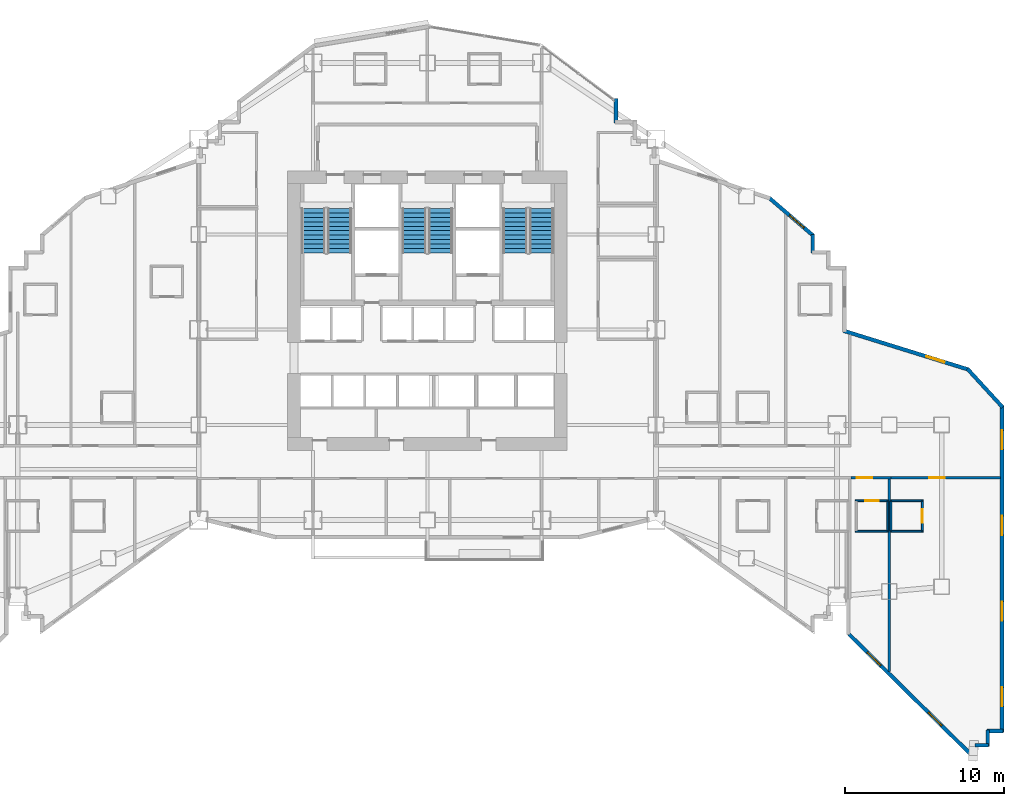
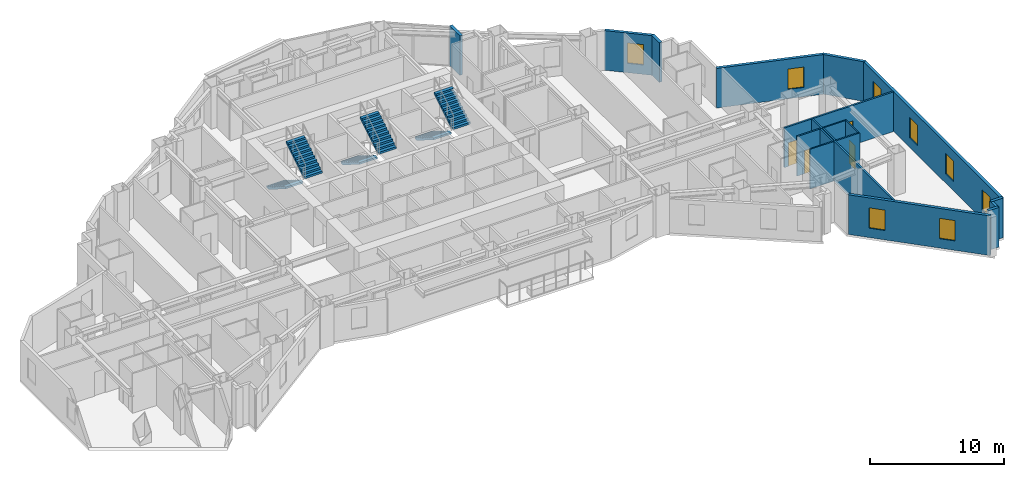
# One storey, part 11 of 16: 20 walls, 8 windows, 6 stair flights, 4 doors, 12 openings, 3 elements without a shape of their own.
"""IFC4 building model written with IfcOpenShell, lengths in metres."""

from ifc_helpers import new_model, si_unit, direction, frame, frame_2d, origin, place, context, subcontext, project, spatial, polyline, rectangle, outline, extrude, material, layer, layer_set, type_object, element, fill, aggregate, save


model = new_model("IFC4")

# Units and contexts
model_context = context("Model", 3, precision=1e-05, world=origin(), true_north=direction((0.0, 1.0)))
body_context = subcontext(model_context, "Body", "Model", "MODEL_VIEW")
ifc_project = project(units=[si_unit("LENGTHUNIT", "METRE"), si_unit("AREAUNIT", "SQUARE_METRE"), si_unit("VOLUMEUNIT", "CUBIC_METRE"), si_unit("PLANEANGLEUNIT", "RADIAN"), si_unit("MASSUNIT", "GRAM", prefix="KILO")], contexts=[model_context])

# Site, building, storey
site_placement = place(None, origin())
site = spatial("IfcSite", under=ifc_project, at=site_placement, CompositionType="ELEMENT")
building_placement = place(site_placement, origin())
building = spatial("IfcBuilding", under=site, at=building_placement, Name="Haolan Belvedere Tower", CompositionType="ELEMENT")
storey_placement = place(building_placement, frame((0.0, 0.0, 47.60009765625)))
storey = spatial("IfcBuildingStorey", under=building, at=storey_placement, Name="L11", CompositionType="ELEMENT", Elevation=47.60009765625)

# Wall, openings, windows
ifc_material_1 = material(Name="Precast concrete C40/50", Category="concrete")
ifc_layer_1 = layer(ifc_material_1, 0.239990234375, Name="Precast concrete C40/50")
ifc_layer_set_1 = layer_set([ifc_layer_1], Name="Precast concrete C40/50")
wall_type_1 = type_object("IfcWallType", Name="WL-EXT-240", PredefinedType="SOLIDWALL", material=ifc_layer_set_1)
wall_1_placement = place(storey_placement, frame((64.96630859375, 14.404541015625, 0.0), z_axis=(0.0, 0.0, 1.0), x_axis=(0.71217720779, -0.701999732695, 0.0)))
wall_1 = element("IfcWall", 1, at=wall_1_placement, inside=storey, type_object=wall_type_1, Name="L11 pale-metal exterior spandrel wall 21.1", PredefinedType="SOLIDWALL", context=body_context, shape_type="SweptSolid", body=[
    extrude(rectangle(XDim=10.914794921875, YDim=0.239990234375, at=frame_2d((5.45751953125, 0.0))), origin(), (0.0, 0.0, 1.0), 3.599853515625),
])
opening_1_placement = place(wall_1_placement, frame((1.60009765625, 0.0, 0.85009765625)))
opening_1 = element("IfcOpeningElement", 2, at=opening_1_placement, cuts=wall_1, Name="Opening W-01", PredefinedType="OPENING", context=body_context, shape_type="SweptSolid", body=[
    extrude(rectangle(XDim=1.199951171875, YDim=1.85009765625, at=frame_2d((0.60009765625, 0.925048828125))), frame((0.0, 0.1298828125, 0.0), z_axis=(0.0, -1.0, 0.0), x_axis=(1.0, 0.0, 0.0)), (0.0, 0.0, 1.0), 0.260009765625),
])
opening_2_placement = place(wall_1_placement, frame((7.0, 0.0, 0.85009765625)))
opening_2 = element("IfcOpeningElement", 3, at=opening_2_placement, cuts=wall_1, Name="Opening W-01", PredefinedType="OPENING", context=body_context, shape_type="SweptSolid", body=[
    extrude(rectangle(XDim=1.199951171875, YDim=1.85009765625, at=frame_2d((0.60009765625, 0.925048828125))), frame((0.0, 0.1298828125, 0.0), z_axis=(0.0, -1.0, 0.0), x_axis=(1.0, 0.0, 0.0)), (0.0, 0.0, 1.0), 0.260009765625),
])
ifc_material_2 = material(Name="Anodised aluminium 6063-T6 and Low-E glass", Category="aluminium")
window_type = type_object("IfcWindowType", Name="WN-DECO-Z1", PartitioningType="SINGLE_PANEL", PredefinedType="WINDOW", material=ifc_material_2)
window_1_placement = place(opening_1_placement, origin())
window_1 = element("IfcWindow", 4, at=window_1_placement, inside=storey, type_object=window_type, Name="L11 Art Deco chevron window 1", OverallHeight=1.85009765625, OverallWidth=1.199951171875, PartitioningType="SINGLE_PANEL", PredefinedType="WINDOW", context=body_context, shape_type="SweptSolid", body=[
    extrude(rectangle(XDim=1.199951171875, YDim=1.85009765625, at=frame_2d((0.60009765625, 0.925048828125))), frame((0.0, 0.030029296875, 0.0), z_axis=(0.0, -1.0, 0.0), x_axis=(1.0, 0.0, 0.0)), (0.0, 0.0, 1.0), 0.06005859375),
])
fill(opening_1, window_1)
window_2_placement = place(opening_2_placement, origin())
window_2 = element("IfcWindow", 5, at=window_2_placement, inside=storey, type_object=window_type, Name="L11 Art Deco chevron window 2", OverallHeight=1.85009765625, OverallWidth=1.199951171875, PartitioningType="SINGLE_PANEL", PredefinedType="WINDOW", context=body_context, shape_type="SweptSolid", body=[
    extrude(rectangle(XDim=1.199951171875, YDim=1.85009765625, at=frame_2d((0.60009765625, 0.925048828125))), frame((0.0, 0.030029296875, 0.0), z_axis=(0.0, -1.0, 0.0), x_axis=(1.0, 0.0, 0.0)), (0.0, 0.0, 1.0), 0.06005859375),
])
fill(opening_2, window_2)

# Walls
wall_2_placement = place(storey_placement, frame((72.885009765625, 7.416015625, 0.0), z_axis=(0.0, 0.0, 1.0), x_axis=(1.0, 0.0, 0.0)))
element("IfcWall", 6, at=wall_2_placement, inside=storey, type_object=wall_type_1, Name="L11 pale-metal exterior spandrel wall 23.1", PredefinedType="SOLIDWALL", context=body_context, shape_type="SweptSolid", body=[
    extrude(rectangle(XDim=0.869873046875, YDim=0.239990234375, at=frame_2d((0.43505859375, 0.0))), origin(), (0.0, 0.0, 1.0), 3.599853515625),
])
for number, where, z_axis, x_axis, name in (
    (7, (73.699951171875, 7.361083984375, 0.0), (0.0, 0.0, 1.0), (0.0, 1.0, 0.0), "L11 pale-metal exterior spandrel wall 24.1"),
    (8, (73.64501953125, 8.31591796875, 0.0), (0.0, 0.0, 1.0), (1.0, 0.0, 0.0), "L11 pale-metal exterior spandrel wall 25.1"),
):
    element("IfcWall", number, at=place(storey_placement, frame(where, z_axis=z_axis, x_axis=x_axis)), inside=storey, type_object=wall_type_1, Name=name, PredefinedType="SOLIDWALL", context=body_context, shape_type="SweptSolid", body=[
        extrude(rectangle(XDim=1.010009765625, YDim=0.239990234375, at=frame_2d((0.5048828125, 0.0))), origin(), (0.0, 0.0, 1.0), 3.599853515625),
    ])

# Wall, openings, windows
wall_3_placement = place(storey_placement, frame((74.60009765625, 8.260986328125, 0.0), z_axis=(0.0, 0.0, 1.0), x_axis=(0.0, 1.0, 0.0)))
wall_3 = element("IfcWall", 9, at=wall_3_placement, inside=storey, type_object=wall_type_1, Name="L11 pale-metal exterior spandrel wall 26.1", PredefinedType="SOLIDWALL", context=body_context, shape_type="SweptSolid", body=[
    extrude(rectangle(XDim=20.54736328125, YDim=0.239990234375, at=frame_2d((10.273681640625, 0.0))), origin(), (0.0, 0.0, 1.0), 3.599853515625),
])
opening_3_placement = place(wall_3_placement, frame((1.60009765625, 0.0, 0.85009765625)))
opening_3 = element("IfcOpeningElement", 10, at=opening_3_placement, cuts=wall_3, Name="Opening W-01", PredefinedType="OPENING", context=body_context, shape_type="SweptSolid", body=[
    extrude(rectangle(XDim=1.199951171875, YDim=1.85009765625, at=frame_2d((0.60009765625, 0.925048828125))), frame((0.0, 0.1298828125, 0.0), z_axis=(0.0, -1.0, 0.0), x_axis=(1.0, 0.0, 0.0)), (0.0, 0.0, 1.0), 0.260009765625),
])
opening_4_placement = place(wall_3_placement, frame((7.0, 0.0, 0.85009765625)))
opening_4 = element("IfcOpeningElement", 11, at=opening_4_placement, cuts=wall_3, Name="Opening W-01", PredefinedType="OPENING", context=body_context, shape_type="SweptSolid", body=[
    extrude(rectangle(XDim=1.199951171875, YDim=1.85009765625, at=frame_2d((0.60009765625, 0.925048828125))), frame((0.0, 0.1298828125, 0.0), z_axis=(0.0, -1.0, 0.0), x_axis=(1.0, 0.0, 0.0)), (0.0, 0.0, 1.0), 0.260009765625),
])
opening_5_placement = place(wall_3_placement, frame((12.39990234375, 0.0, 0.85009765625)))
opening_5 = element("IfcOpeningElement", 12, at=opening_5_placement, cuts=wall_3, Name="Opening W-01", PredefinedType="OPENING", context=body_context, shape_type="SweptSolid", body=[
    extrude(rectangle(XDim=1.199951171875, YDim=1.85009765625, at=frame_2d((0.60009765625, 0.925048828125))), frame((0.0, 0.1298828125, 0.0), z_axis=(0.0, -1.0, 0.0), x_axis=(1.0, 0.0, 0.0)), (0.0, 0.0, 1.0), 0.260009765625),
])
opening_6_placement = place(wall_3_placement, frame((17.800048828125, 0.0, 0.85009765625)))
opening_6 = element("IfcOpeningElement", 13, at=opening_6_placement, cuts=wall_3, Name="Opening W-01", PredefinedType="OPENING", context=body_context, shape_type="SweptSolid", body=[
    extrude(rectangle(XDim=1.199951171875, YDim=1.85009765625, at=frame_2d((0.60009765625, 0.925048828125))), frame((0.0, 0.1298828125, 0.0), z_axis=(0.0, -1.0, 0.0), x_axis=(1.0, 0.0, 0.0)), (0.0, 0.0, 1.0), 0.260009765625),
])
window_3_placement = place(opening_3_placement, origin())
window_3 = element("IfcWindow", 14, at=window_3_placement, inside=storey, type_object=window_type, Name="L11 Art Deco chevron window 1", OverallHeight=1.85009765625, OverallWidth=1.199951171875, PartitioningType="SINGLE_PANEL", PredefinedType="WINDOW", context=body_context, shape_type="SweptSolid", body=[
    extrude(rectangle(XDim=1.199951171875, YDim=1.85009765625, at=frame_2d((0.60009765625, 0.925048828125))), frame((0.0, 0.030029296875, 0.0), z_axis=(0.0, -1.0, 0.0), x_axis=(1.0, 0.0, 0.0)), (0.0, 0.0, 1.0), 0.06005859375),
])
fill(opening_3, window_3)
window_4_placement = place(opening_4_placement, origin())
window_4 = element("IfcWindow", 15, at=window_4_placement, inside=storey, type_object=window_type, Name="L11 Art Deco chevron window 2", OverallHeight=1.85009765625, OverallWidth=1.199951171875, PartitioningType="SINGLE_PANEL", PredefinedType="WINDOW", context=body_context, shape_type="SweptSolid", body=[
    extrude(rectangle(XDim=1.199951171875, YDim=1.85009765625, at=frame_2d((0.60009765625, 0.925048828125))), frame((0.0, 0.030029296875, 0.0), z_axis=(0.0, -1.0, 0.0), x_axis=(1.0, 0.0, 0.0)), (0.0, 0.0, 1.0), 0.06005859375),
])
fill(opening_4, window_4)
window_5_placement = place(opening_5_placement, origin())
window_5 = element("IfcWindow", 16, at=window_5_placement, inside=storey, type_object=window_type, Name="L11 Art Deco chevron window 3", OverallHeight=1.85009765625, OverallWidth=1.199951171875, PartitioningType="SINGLE_PANEL", PredefinedType="WINDOW", context=body_context, shape_type="SweptSolid", body=[
    extrude(rectangle(XDim=1.199951171875, YDim=1.85009765625, at=frame_2d((0.60009765625, 0.925048828125))), frame((0.0, 0.030029296875, 0.0), z_axis=(0.0, -1.0, 0.0), x_axis=(1.0, 0.0, 0.0)), (0.0, 0.0, 1.0), 0.06005859375),
])
fill(opening_5, window_5)
window_6_placement = place(opening_6_placement, origin())
window_6 = element("IfcWindow", 17, at=window_6_placement, inside=storey, type_object=window_type, Name="L11 Art Deco chevron window 4", OverallHeight=1.85009765625, OverallWidth=1.199951171875, PartitioningType="SINGLE_PANEL", PredefinedType="WINDOW", context=body_context, shape_type="SweptSolid", body=[
    extrude(rectangle(XDim=1.199951171875, YDim=1.85009765625, at=frame_2d((0.60009765625, 0.925048828125))), frame((0.0, 0.030029296875, 0.0), z_axis=(0.0, -1.0, 0.0), x_axis=(1.0, 0.0, 0.0)), (0.0, 0.0, 1.0), 0.06005859375),
])
fill(opening_6, window_6)

# Wall
wall_4_placement = place(storey_placement, frame((74.63720703125, 28.712890625, 0.0), z_axis=(0.0, 0.0, 1.0), x_axis=(-0.675761629512, 0.737120220913, 0.0)))
element("IfcWall", 18, at=wall_4_placement, inside=storey, type_object=wall_type_1, Name="L11 pale-metal exterior spandrel wall 27.1", PredefinedType="SOLIDWALL", context=body_context, shape_type="SweptSolid", body=[
    extrude(rectangle(XDim=3.28662109375, YDim=0.239990234375, at=frame_2d((1.643310546875, 0.0))), origin(), (0.0, 0.0, 1.0), 3.599853515625),
])

# Wall, opening, window
wall_5_placement = place(storey_placement, frame((72.505859375, 31.07861328125, 0.0), z_axis=(0.0, 0.0, 1.0), x_axis=(-0.954920174609, 0.296862695745, 0.0)))
wall_5 = element("IfcWall", 19, at=wall_5_placement, inside=storey, type_object=wall_type_1, Name="L11 pale-metal exterior spandrel wall 28.1", PredefinedType="SOLIDWALL", context=body_context, shape_type="SweptSolid", body=[
    extrude(rectangle(XDim=8.250244140625, YDim=0.239990234375, at=frame_2d((4.125, 0.0))), origin(), (0.0, 0.0, 1.0), 3.599853515625),
])
opening_7_placement = place(wall_5_placement, frame((1.60009765625, 0.0, 0.85009765625)))
opening_7 = element("IfcOpeningElement", 20, at=opening_7_placement, cuts=wall_5, Name="Opening W-01", PredefinedType="OPENING", context=body_context, shape_type="SweptSolid", body=[
    extrude(rectangle(XDim=1.199951171875, YDim=1.85009765625, at=frame_2d((0.60009765625, 0.925048828125))), frame((0.0, 0.1298828125, 0.0), z_axis=(0.0, -1.0, 0.0), x_axis=(1.0, 0.0, 0.0)), (0.0, 0.0, 1.0), 0.260009765625),
])
window_7_placement = place(opening_7_placement, origin())
window_7 = element("IfcWindow", 21, at=window_7_placement, inside=storey, type_object=window_type, Name="L11 Art Deco chevron window 1", OverallHeight=1.85009765625, OverallWidth=1.199951171875, PartitioningType="SINGLE_PANEL", PredefinedType="WINDOW", context=body_context, shape_type="SweptSolid", body=[
    extrude(rectangle(XDim=1.199951171875, YDim=1.85009765625, at=frame_2d((0.60009765625, 0.925048828125))), frame((0.0, 0.030029296875, 0.0), z_axis=(0.0, -1.0, 0.0), x_axis=(1.0, 0.0, 0.0)), (0.0, 0.0, 1.0), 0.06005859375),
])
fill(opening_7, window_7)

# Wall
wall_6_placement = place(storey_placement, frame((62.679931640625, 38.425048828125, 0.0), z_axis=(0.0, 0.0, 1.0), x_axis=(0.0, 1.0, 0.0)))
element("IfcWall", 22, at=wall_6_placement, inside=storey, type_object=wall_type_1, Name="L11 pale-metal exterior spandrel wall 33.1", PredefinedType="SOLIDWALL", context=body_context, shape_type="SweptSolid", body=[
    extrude(rectangle(XDim=1.1748046875, YDim=0.239990234375, at=frame_2d((0.58740234375, 0.0))), origin(), (0.0, 0.0, 1.0), 3.599853515625),
])

# Wall, opening, window
wall_7_placement = place(storey_placement, frame((62.7216796875, 39.509033203125, 0.0), z_axis=(0.0, 0.0, 1.0), x_axis=(-0.759247334792, 0.650802185469, 0.0)))
wall_7 = element("IfcWall", 23, at=wall_7_placement, inside=storey, type_object=wall_type_1, Name="L11 pale-metal exterior spandrel wall 34.1", PredefinedType="SOLIDWALL", context=body_context, shape_type="SweptSolid", body=[
    extrude(rectangle(XDim=3.71923828125, YDim=0.239990234375, at=frame_2d((1.859619140625, 0.0))), origin(), (0.0, 0.0, 1.0), 3.599853515625),
])
opening_8_placement = place(wall_7_placement, frame((0.7822265625, 0.0, 0.85009765625)))
opening_8 = element("IfcOpeningElement", 24, at=opening_8_placement, cuts=wall_7, Name="Opening W-01", PredefinedType="OPENING", context=body_context, shape_type="SweptSolid", body=[
    extrude(rectangle(XDim=1.199951171875, YDim=1.85009765625, at=frame_2d((0.60009765625, 0.925048828125))), frame((0.0, 0.1298828125, 0.0), z_axis=(0.0, -1.0, 0.0), x_axis=(1.0, 0.0, 0.0)), (0.0, 0.0, 1.0), 0.260009765625),
])
window_8_placement = place(opening_8_placement, origin())
window_8 = element("IfcWindow", 25, at=window_8_placement, inside=storey, type_object=window_type, Name="L11 Art Deco chevron window 1", OverallHeight=1.85009765625, OverallWidth=1.199951171875, PartitioningType="SINGLE_PANEL", PredefinedType="WINDOW", context=body_context, shape_type="SweptSolid", body=[
    extrude(rectangle(XDim=1.199951171875, YDim=1.85009765625, at=frame_2d((0.60009765625, 0.925048828125))), frame((0.0, 0.030029296875, 0.0), z_axis=(0.0, -1.0, 0.0), x_axis=(1.0, 0.0, 0.0)), (0.0, 0.0, 1.0), 0.06005859375),
])
fill(opening_8, window_8)

# Wall
wall_8_placement = place(storey_placement, frame((50.280029296875, 46.625, 0.0), z_axis=(0.0, 0.0, 1.0), x_axis=(0.0, 1.0, 0.0)))
element("IfcWall", 26, at=wall_8_placement, inside=storey, type_object=wall_type_1, Name="L11 pale-metal exterior spandrel wall 40.1", PredefinedType="SOLIDWALL", context=body_context, shape_type="SweptSolid", body=[
    extrude(rectangle(XDim=1.5400390625, YDim=0.239990234375, at=frame_2d((0.77001953125, 0.0))), origin(), (0.0, 0.0, 1.0), 3.599853515625),
])

# Wall, opening, door
ifc_material_3 = material(Name="Double gypsum acoustic stud partition", Category="masonry")
ifc_layer_2 = layer(ifc_material_3, 0.14990234375, Name="Double gypsum acoustic stud partition")
ifc_layer_set_2 = layer_set([ifc_layer_2], Name="Double gypsum acoustic stud partition")
wall_type_2 = type_object("IfcWallType", Name="WL-PART-150", PredefinedType="PARTITIONING", material=ifc_layer_set_2)
wall_9_placement = place(storey_placement, frame((65.10205078125, 24.27001953125, 0.0), z_axis=(0.0, 0.0, 1.0), x_axis=(1.0, 0.0, 0.0)))
wall_9 = element("IfcWall", 27, at=wall_9_placement, inside=storey, type_object=wall_type_2, Name="L11 interior partition IW-L11-T5S1-N", PredefinedType="PARTITIONING", context=body_context, shape_type="SweptSolid", body=[
    extrude(rectangle(XDim=2.498046875, YDim=0.14990234375, at=frame_2d((1.2490234375, 0.0))), origin(), (0.0, 0.0, 1.0), 3.599853515625),
])
opening_9_placement = place(wall_9_placement, frame((1.311767578125, 0.0, 0.0), z_axis=(0.0, 0.0, 1.0), x_axis=(-1.0, 0.0, 0.0)))
opening_9 = element("IfcOpeningElement", 28, at=opening_9_placement, cuts=wall_9, Name="Opening ID-02", PredefinedType="OPENING", context=body_context, shape_type="SweptSolid", body=[
    extrude(rectangle(XDim=0.949951171875, YDim=2.14990234375, at=frame_2d((0.47509765625, 1.074951171875))), frame((0.0, 0.0849609375, 0.0), z_axis=(0.0, -1.0, 0.0), x_axis=(1.0, 0.0, 0.0)), (0.0, 0.0, 1.0), 0.169921875),
])
ifc_material_4 = material(Name="Acoustic oak veneer fire-rated timber", Category="wood")
door_type_1 = type_object("IfcDoorType", Name="DR-GUEST-950", OperationType="NOTDEFINED", PredefinedType="DOOR", material=ifc_material_4)
door_1_placement = place(opening_9_placement, origin())
door_1 = element("IfcDoor", 29, at=door_1_placement, inside=storey, type_object=door_type_1, Name="L11 door ID-L11-T5S1-ENT", OperationType="SINGLE_SWING_LEFT", OverallHeight=2.14990234375, OverallWidth=0.949951171875, PredefinedType="DOOR", context=body_context, shape_type="SweptSolid", body=[
    extrude(rectangle(XDim=0.949951171875, YDim=2.14990234375, at=frame_2d((0.47509765625, 1.074951171875))), frame((0.0, 0.02490234375, 0.0), z_axis=(0.0, -1.0, 0.0), x_axis=(1.0, 0.0, 0.0)), (0.0, 0.0, 1.0), 0.050048828125),
])
fill(opening_9, door_1)

# Wall
wall_10_placement = place(storey_placement, frame((67.5, 12.054443359375, 0.0), z_axis=(0.0, 0.0, 1.0), x_axis=(0.0, 1.0, 0.0)))
element("IfcWall", 30, at=wall_10_placement, inside=storey, type_object=wall_type_2, Name="L11 interior partition IW-L11-T5S1-E", PredefinedType="PARTITIONING", context=body_context, shape_type="SweptSolid", body=[
    extrude(rectangle(XDim=12.155517578125, YDim=0.14990234375, at=frame_2d((6.07763671875, 0.0))), origin(), (0.0, 0.0, 1.0), 3.599853515625),
])

# Wall, opening, door
wall_11_placement = place(storey_placement, frame((67.60205078125, 24.27001953125, 0.0), z_axis=(0.0, 0.0, 1.0), x_axis=(1.0, 0.0, 0.0)))
wall_11 = element("IfcWall", 31, at=wall_11_placement, inside=storey, type_object=wall_type_2, Name="L11 interior partition IW-L11-T5S2-N", PredefinedType="PARTITIONING", context=body_context, shape_type="SweptSolid", body=[
    extrude(rectangle(XDim=6.89306640625, YDim=0.14990234375, at=frame_2d((3.446533203125, 0.0))), origin(), (0.0, 0.0, 1.0), 3.599853515625),
])
opening_10_placement = place(wall_11_placement, frame((3.380615234375, 0.0, 0.0), z_axis=(0.0, 0.0, 1.0), x_axis=(-1.0, 0.0, 0.0)))
opening_10 = element("IfcOpeningElement", 32, at=opening_10_placement, cuts=wall_11, Name="Opening ID-01", PredefinedType="OPENING", context=body_context, shape_type="SweptSolid", body=[
    extrude(rectangle(XDim=0.949951171875, YDim=2.179931640625, at=frame_2d((0.47509765625, 1.08984375))), frame((0.0, 0.0849609375, 0.0), z_axis=(0.0, -1.0, 0.0), x_axis=(1.0, 0.0, 0.0)), (0.0, 0.0, 1.0), 0.169921875),
])
ifc_material_5 = material(Name="Acoustic walnut veneer fire-rated timber", Category="wood")
door_type_2 = type_object("IfcDoorType", Name="DR-SUITE-950", OperationType="NOTDEFINED", PredefinedType="DOOR", material=ifc_material_5)
door_2_placement = place(opening_10_placement, origin())
door_2 = element("IfcDoor", 33, at=door_2_placement, inside=storey, type_object=door_type_2, Name="L11 door ID-L11-T5S2-ENT", OperationType="SINGLE_SWING_RIGHT", OverallHeight=2.179931640625, OverallWidth=0.949951171875, PredefinedType="DOOR", context=body_context, shape_type="SweptSolid", body=[
    extrude(rectangle(XDim=0.949951171875, YDim=2.179931640625, at=frame_2d((0.47509765625, 1.08984375))), frame((0.0, 0.02490234375, 0.0), z_axis=(0.0, -1.0, 0.0), x_axis=(1.0, 0.0, 0.0)), (0.0, 0.0, 1.0), 0.050048828125),
])
fill(opening_10, door_2)

ifc_material_6 = material(Name="Moisture-resistant gypsum tile partition", Category="masonry")
ifc_layer_3 = layer(ifc_material_6, 0.1201171875, Name="Moisture-resistant gypsum tile partition")
ifc_layer_set_3 = layer_set([ifc_layer_3], Name="Moisture-resistant gypsum tile partition")
wall_type_3 = type_object("IfcWallType", Name="WL-WET-120", PredefinedType="PARTITIONING", material=ifc_layer_set_3)
wall_12_placement = place(storey_placement, frame((65.360107421875, 22.820068359375, 0.0), z_axis=(0.0, 0.0, 1.0), x_axis=(1.0, 0.0, 0.0)))
wall_12 = element("IfcWall", 34, at=wall_12_placement, inside=storey, type_object=wall_type_3, Name="L11 interior partition IW-L11-T5S1-BN", PredefinedType="PARTITIONING", context=body_context, shape_type="SweptSolid", body=[
    extrude(rectangle(XDim=2.079833984375, YDim=0.1201171875, at=frame_2d((1.0400390625, 0.0))), origin(), (0.0, 0.0, 1.0), 3.599853515625),
])
opening_11_placement = place(wall_12_placement, frame((1.47509765625, 0.0, 0.0), z_axis=(0.0, 0.0, 1.0), x_axis=(-1.0, 0.0, 0.0)))
opening_11 = element("IfcOpeningElement", 35, at=opening_11_placement, cuts=wall_12, Name="Opening ID-05", PredefinedType="OPENING", context=body_context, shape_type="SweptSolid", body=[
    extrude(rectangle(XDim=0.85009765625, YDim=2.10009765625, at=frame_2d((0.425048828125, 1.050048828125))), frame((0.0, 0.070068359375, 0.0), z_axis=(0.0, -1.0, 0.0), x_axis=(1.0, 0.0, 0.0)), (0.0, 0.0, 1.0), 0.14013671875),
])
ifc_material_7 = material(Name="Moisture-resistant lacquered timber", Category="wood")
door_type_3 = type_object("IfcDoorType", Name="DR-BATH-850", OperationType="NOTDEFINED", PredefinedType="DOOR", material=ifc_material_7)
door_3_placement = place(opening_11_placement, origin())
door_3 = element("IfcDoor", 36, at=door_3_placement, inside=storey, type_object=door_type_3, Name="L11 door ID-L11-T5S1-BATH", OperationType="SINGLE_SWING_RIGHT", OverallHeight=2.10009765625, OverallWidth=0.85009765625, PredefinedType="DOOR", context=body_context, shape_type="SweptSolid", body=[
    extrude(rectangle(XDim=0.85009765625, YDim=2.10009765625, at=frame_2d((0.425048828125, 1.050048828125))), frame((0.0, 0.02490234375, 0.0), z_axis=(0.0, -1.0, 0.0), x_axis=(1.0, 0.0, 0.0)), (0.0, 0.0, 1.0), 0.050048828125),
])
fill(opening_11, door_3)

# Walls
wall_13_placement = place(storey_placement, frame((65.360107421875, 20.89990234375, 0.0), z_axis=(0.0, 0.0, 1.0), x_axis=(1.0, 0.0, 0.0)))
element("IfcWall", 37, at=wall_13_placement, inside=storey, type_object=wall_type_3, Name="L11 interior partition IW-L11-T5S1-BS", PredefinedType="PARTITIONING", context=body_context, shape_type="SweptSolid", body=[
    extrude(rectangle(XDim=2.079833984375, YDim=0.1201171875, at=frame_2d((1.0400390625, 0.0))), origin(), (0.0, 0.0, 1.0), 3.599853515625),
])
wall_14_placement = place(storey_placement, frame((67.39990234375, 20.945068359375, 0.0), z_axis=(0.0, 0.0, 1.0), x_axis=(0.0, 1.0, 0.0)))
element("IfcWall", 38, at=wall_14_placement, inside=storey, type_object=wall_type_3, Name="L11 interior partition IW-L11-T5S1-BE", PredefinedType="PARTITIONING", context=body_context, shape_type="SweptSolid", body=[
    extrude(rectangle(XDim=1.829833984375, YDim=0.1201171875, at=frame_2d((0.9150390625, 0.0))), origin(), (0.0, 0.0, 1.0), 3.599853515625),
])
for number, where, z_axis, x_axis, name in (
    (39, (67.56005859375, 22.820068359375, 0.0), (0.0, 0.0, 1.0), (1.0, 0.0, 0.0), "L11 interior partition IW-L11-T5S2-BN"),
    (40, (67.56005859375, 20.89990234375, 0.0), (0.0, 0.0, 1.0), (1.0, 0.0, 0.0), "L11 interior partition IW-L11-T5S2-BS"),
):
    element("IfcWall", number, at=place(storey_placement, frame(where, z_axis=z_axis, x_axis=x_axis)), inside=storey, type_object=wall_type_3, Name=name, PredefinedType="PARTITIONING", context=body_context, shape_type="SweptSolid", body=[
        extrude(rectangle(XDim=2.079833984375, YDim=0.1201171875, at=frame_2d((1.0400390625, 0.0))), origin(), (0.0, 0.0, 1.0), 3.599853515625),
    ])
wall_15_placement = place(storey_placement, frame((67.60009765625, 20.945068359375, 0.0), z_axis=(0.0, 0.0, 1.0), x_axis=(0.0, 1.0, 0.0)))
element("IfcWall", 41, at=wall_15_placement, inside=storey, type_object=wall_type_3, Name="L11 interior partition IW-L11-T5S2-BW", PredefinedType="PARTITIONING", context=body_context, shape_type="SweptSolid", body=[
    extrude(rectangle(XDim=1.829833984375, YDim=0.1201171875, at=frame_2d((0.9150390625, 0.0))), origin(), (0.0, 0.0, 1.0), 3.599853515625),
])

# Wall, opening, door
wall_16_placement = place(storey_placement, frame((69.580078125, 20.945068359375, 0.0), z_axis=(0.0, 0.0, 1.0), x_axis=(0.0, 1.0, 0.0)))
wall_16 = element("IfcWall", 42, at=wall_16_placement, inside=storey, type_object=wall_type_3, Name="L11 interior partition IW-L11-T5S2-BE", PredefinedType="PARTITIONING", context=body_context, shape_type="SweptSolid", body=[
    extrude(rectangle(XDim=1.829833984375, YDim=0.1201171875, at=frame_2d((0.9150390625, 0.0))), origin(), (0.0, 0.0, 1.0), 3.599853515625),
])
opening_12_placement = place(wall_16_placement, frame((0.489990234375, 0.0, 0.0)))
opening_12 = element("IfcOpeningElement", 43, at=opening_12_placement, cuts=wall_16, Name="Opening ID-05", PredefinedType="OPENING", context=body_context, shape_type="SweptSolid", body=[
    extrude(rectangle(XDim=0.85009765625, YDim=2.10009765625, at=frame_2d((0.425048828125, 1.050048828125))), frame((0.0, 0.070068359375, 0.0), z_axis=(0.0, -1.0, 0.0), x_axis=(1.0, 0.0, 0.0)), (0.0, 0.0, 1.0), 0.14013671875),
])
door_4_placement = place(opening_12_placement, origin())
door_4 = element("IfcDoor", 44, at=door_4_placement, inside=storey, type_object=door_type_3, Name="L11 door ID-L11-T5S2-BATH", OperationType="SINGLE_SWING_LEFT", OverallHeight=2.10009765625, OverallWidth=0.85009765625, PredefinedType="DOOR", context=body_context, shape_type="SweptSolid", body=[
    extrude(rectangle(XDim=0.85009765625, YDim=2.10009765625, at=frame_2d((0.425048828125, 1.050048828125))), frame((0.0, 0.02490234375, 0.0), z_axis=(0.0, -1.0, 0.0), x_axis=(1.0, 0.0, 0.0)), (0.0, 0.0, 1.0), 0.050048828125),
])
fill(opening_12, door_4)

# Stair, stair flights
ifc_material_8 = material(Name="Concrete C40/50", Category="concrete")
stair_type = type_object("IfcStairType", Name="STR-DL-22R-173", PredefinedType="HALF_TURN_STAIR", material=ifc_material_8)
stair_1_placement = place(storey_placement, origin())
stair_1 = element("IfcStair", 45, at=stair_1_placement, inside=storey, type_object=stair_type, Name="L11 Smokeproof Core Exit Stair ST1", PredefinedType="HALF_TURN_STAIR")
stair_flight_type = type_object("IfcStairFlightType", Name="SFL-DL-11R-173", PredefinedType="STRAIGHT", material=ifc_material_8)
stair_flight_1_placement = place(storey_placement, frame((31.2099609375, 41.22998046875, 0.0), z_axis=(0.0, 0.0, 1.0), x_axis=(0.0, -1.0, 0.0)))
stair_flight_1 = element("IfcStairFlight", 46, at=stair_flight_1_placement, type_object=stair_flight_type, Name="ST1 flight 1", NumberOfRisers=11, NumberOfTreads=10, PredefinedType="STRAIGHT", RiserHeight=0.172727273, TreadLength=0.28, context=body_context, shape_type="SweptSolid", body=[
    extrude(outline(polyline([(0.0, 0.0), (0.0, 0.172607421875), (0.280029296875, 0.172607421875), (0.280029296875, 0.345458984375), (0.56005859375, 0.345458984375), (0.56005859375, 0.51806640625), (0.840087890625, 0.51806640625), (0.840087890625, 0.69091796875), (1.1201171875, 0.69091796875), (1.1201171875, 0.863525390625), (1.39990234375, 0.863525390625), (1.39990234375, 1.036376953125), (1.679931640625, 1.036376953125), (1.679931640625, 1.208984375), (1.9599609375, 1.208984375), (1.9599609375, 1.3818359375), (2.239990234375, 1.3818359375), (2.239990234375, 1.554443359375), (2.52001953125, 1.554443359375), (2.52001953125, 1.727294921875), (2.800048828125, 1.727294921875), (2.800048828125, 1.89990234375), (2.800048828125, 1.551025390625), (0.285400390625, 0.0), (0.0, 0.0)])), frame((0.0, 0.760009765625, 0.0), z_axis=(0.0, -1.0, 0.0), x_axis=(1.0, 0.0, 0.0)), (0.0, 0.0, 1.0), 1.52001953125),
])
stair_flight_2_placement = place(storey_placement, frame((32.8701171875, 38.429931640625, 1.89990234375), z_axis=(0.0, 0.0, 1.0), x_axis=(0.0, 1.0, 0.0)))
stair_flight_2 = element("IfcStairFlight", 47, at=stair_flight_2_placement, type_object=stair_flight_type, Name="ST1 flight 2", NumberOfRisers=11, NumberOfTreads=10, PredefinedType="STRAIGHT", RiserHeight=0.172727273, TreadLength=0.28, context=body_context, shape_type="SweptSolid", body=[
    extrude(outline(polyline([(0.0, 0.0), (0.0, 0.172607421875), (0.280029296875, 0.172607421875), (0.280029296875, 0.345458984375), (0.56005859375, 0.345458984375), (0.56005859375, 0.51806640625), (0.840087890625, 0.51806640625), (0.840087890625, 0.69091796875), (1.1201171875, 0.69091796875), (1.1201171875, 0.863525390625), (1.39990234375, 0.863525390625), (1.39990234375, 1.036376953125), (1.679931640625, 1.036376953125), (1.679931640625, 1.208984375), (1.9599609375, 1.208984375), (1.9599609375, 1.3818359375), (2.239990234375, 1.3818359375), (2.239990234375, 1.554443359375), (2.52001953125, 1.554443359375), (2.52001953125, 1.727294921875), (2.800048828125, 1.727294921875), (2.800048828125, 1.89990234375), (2.800048828125, 1.551025390625), (0.285400390625, 0.0), (0.0, 0.0)])), frame((0.0, 0.760009765625, 0.0), z_axis=(0.0, -1.0, 0.0), x_axis=(1.0, 0.0, 0.0)), (0.0, 0.0, 1.0), 1.52001953125),
])
aggregate(stair_1, [stair_flight_1, stair_flight_2])

stair_2_placement = place(storey_placement, origin())
stair_2 = element("IfcStair", 48, at=stair_2_placement, inside=storey, type_object=stair_type, Name="L11 Smokeproof Core Exit Stair ST3", PredefinedType="HALF_TURN_STAIR")
stair_flight_3_placement = place(storey_placement, frame((37.570068359375, 41.22998046875, 0.0), z_axis=(0.0, 0.0, 1.0), x_axis=(0.0, -1.0, 0.0)))
stair_flight_3 = element("IfcStairFlight", 49, at=stair_flight_3_placement, type_object=stair_flight_type, Name="ST3 flight 1", NumberOfRisers=11, NumberOfTreads=10, PredefinedType="STRAIGHT", RiserHeight=0.172727273, TreadLength=0.28, context=body_context, shape_type="SweptSolid", body=[
    extrude(outline(polyline([(0.0, 0.0), (0.0, 0.172607421875), (0.280029296875, 0.172607421875), (0.280029296875, 0.345458984375), (0.56005859375, 0.345458984375), (0.56005859375, 0.51806640625), (0.840087890625, 0.51806640625), (0.840087890625, 0.69091796875), (1.1201171875, 0.69091796875), (1.1201171875, 0.863525390625), (1.39990234375, 0.863525390625), (1.39990234375, 1.036376953125), (1.679931640625, 1.036376953125), (1.679931640625, 1.208984375), (1.9599609375, 1.208984375), (1.9599609375, 1.3818359375), (2.239990234375, 1.3818359375), (2.239990234375, 1.554443359375), (2.52001953125, 1.554443359375), (2.52001953125, 1.727294921875), (2.800048828125, 1.727294921875), (2.800048828125, 1.89990234375), (2.800048828125, 1.551025390625), (0.285400390625, 0.0), (0.0, 0.0)])), frame((0.0, 0.760009765625, 0.0), z_axis=(0.0, -1.0, 0.0), x_axis=(1.0, 0.0, 0.0)), (0.0, 0.0, 1.0), 1.52001953125),
])
stair_flight_4_placement = place(storey_placement, frame((39.22998046875, 38.429931640625, 1.89990234375), z_axis=(0.0, 0.0, 1.0), x_axis=(0.0, 1.0, 0.0)))
stair_flight_4 = element("IfcStairFlight", 50, at=stair_flight_4_placement, type_object=stair_flight_type, Name="ST3 flight 2", NumberOfRisers=11, NumberOfTreads=10, PredefinedType="STRAIGHT", RiserHeight=0.172727273, TreadLength=0.28, context=body_context, shape_type="SweptSolid", body=[
    extrude(outline(polyline([(0.0, 0.0), (0.0, 0.172607421875), (0.280029296875, 0.172607421875), (0.280029296875, 0.345458984375), (0.56005859375, 0.345458984375), (0.56005859375, 0.51806640625), (0.840087890625, 0.51806640625), (0.840087890625, 0.69091796875), (1.1201171875, 0.69091796875), (1.1201171875, 0.863525390625), (1.39990234375, 0.863525390625), (1.39990234375, 1.036376953125), (1.679931640625, 1.036376953125), (1.679931640625, 1.208984375), (1.9599609375, 1.208984375), (1.9599609375, 1.3818359375), (2.239990234375, 1.3818359375), (2.239990234375, 1.554443359375), (2.52001953125, 1.554443359375), (2.52001953125, 1.727294921875), (2.800048828125, 1.727294921875), (2.800048828125, 1.89990234375), (2.800048828125, 1.551025390625), (0.285400390625, 0.0), (0.0, 0.0)])), frame((0.0, 0.760009765625, 0.0), z_axis=(0.0, -1.0, 0.0), x_axis=(1.0, 0.0, 0.0)), (0.0, 0.0, 1.0), 1.52001953125),
])
aggregate(stair_2, [stair_flight_3, stair_flight_4])

stair_3_placement = place(storey_placement, origin())
stair_3 = element("IfcStair", 51, at=stair_3_placement, inside=storey, type_object=stair_type, Name="L11 Smokeproof Core Exit Stair ST2", PredefinedType="HALF_TURN_STAIR")
stair_flight_5_placement = place(storey_placement, frame((43.929931640625, 41.22998046875, 0.0), z_axis=(0.0, 0.0, 1.0), x_axis=(0.0, -1.0, 0.0)))
stair_flight_5 = element("IfcStairFlight", 52, at=stair_flight_5_placement, type_object=stair_flight_type, Name="ST2 flight 1", NumberOfRisers=11, NumberOfTreads=10, PredefinedType="STRAIGHT", RiserHeight=0.172727273, TreadLength=0.28, context=body_context, shape_type="SweptSolid", body=[
    extrude(outline(polyline([(0.0, 0.0), (0.0, 0.172607421875), (0.280029296875, 0.172607421875), (0.280029296875, 0.345458984375), (0.56005859375, 0.345458984375), (0.56005859375, 0.51806640625), (0.840087890625, 0.51806640625), (0.840087890625, 0.69091796875), (1.1201171875, 0.69091796875), (1.1201171875, 0.863525390625), (1.39990234375, 0.863525390625), (1.39990234375, 1.036376953125), (1.679931640625, 1.036376953125), (1.679931640625, 1.208984375), (1.9599609375, 1.208984375), (1.9599609375, 1.3818359375), (2.239990234375, 1.3818359375), (2.239990234375, 1.554443359375), (2.52001953125, 1.554443359375), (2.52001953125, 1.727294921875), (2.800048828125, 1.727294921875), (2.800048828125, 1.89990234375), (2.800048828125, 1.551025390625), (0.285400390625, 0.0), (0.0, 0.0)])), frame((0.0, 0.760009765625, 0.0), z_axis=(0.0, -1.0, 0.0), x_axis=(1.0, 0.0, 0.0)), (0.0, 0.0, 1.0), 1.52001953125),
])
stair_flight_6_placement = place(storey_placement, frame((45.590087890625, 38.429931640625, 1.89990234375), z_axis=(0.0, 0.0, 1.0), x_axis=(0.0, 1.0, 0.0)))
stair_flight_6 = element("IfcStairFlight", 53, at=stair_flight_6_placement, type_object=stair_flight_type, Name="ST2 flight 2", NumberOfRisers=11, NumberOfTreads=10, PredefinedType="STRAIGHT", RiserHeight=0.172727273, TreadLength=0.28, context=body_context, shape_type="SweptSolid", body=[
    extrude(outline(polyline([(0.0, 0.0), (0.0, 0.172607421875), (0.280029296875, 0.172607421875), (0.280029296875, 0.345458984375), (0.56005859375, 0.345458984375), (0.56005859375, 0.51806640625), (0.840087890625, 0.51806640625), (0.840087890625, 0.69091796875), (1.1201171875, 0.69091796875), (1.1201171875, 0.863525390625), (1.39990234375, 0.863525390625), (1.39990234375, 1.036376953125), (1.679931640625, 1.036376953125), (1.679931640625, 1.208984375), (1.9599609375, 1.208984375), (1.9599609375, 1.3818359375), (2.239990234375, 1.3818359375), (2.239990234375, 1.554443359375), (2.52001953125, 1.554443359375), (2.52001953125, 1.727294921875), (2.800048828125, 1.727294921875), (2.800048828125, 1.89990234375), (2.800048828125, 1.551025390625), (0.285400390625, 0.0), (0.0, 0.0)])), frame((0.0, 0.760009765625, 0.0), z_axis=(0.0, -1.0, 0.0), x_axis=(1.0, 0.0, 0.0)), (0.0, 0.0, 1.0), 1.52001953125),
])
aggregate(stair_3, [stair_flight_5, stair_flight_6])

save(model, "model.ifc")
